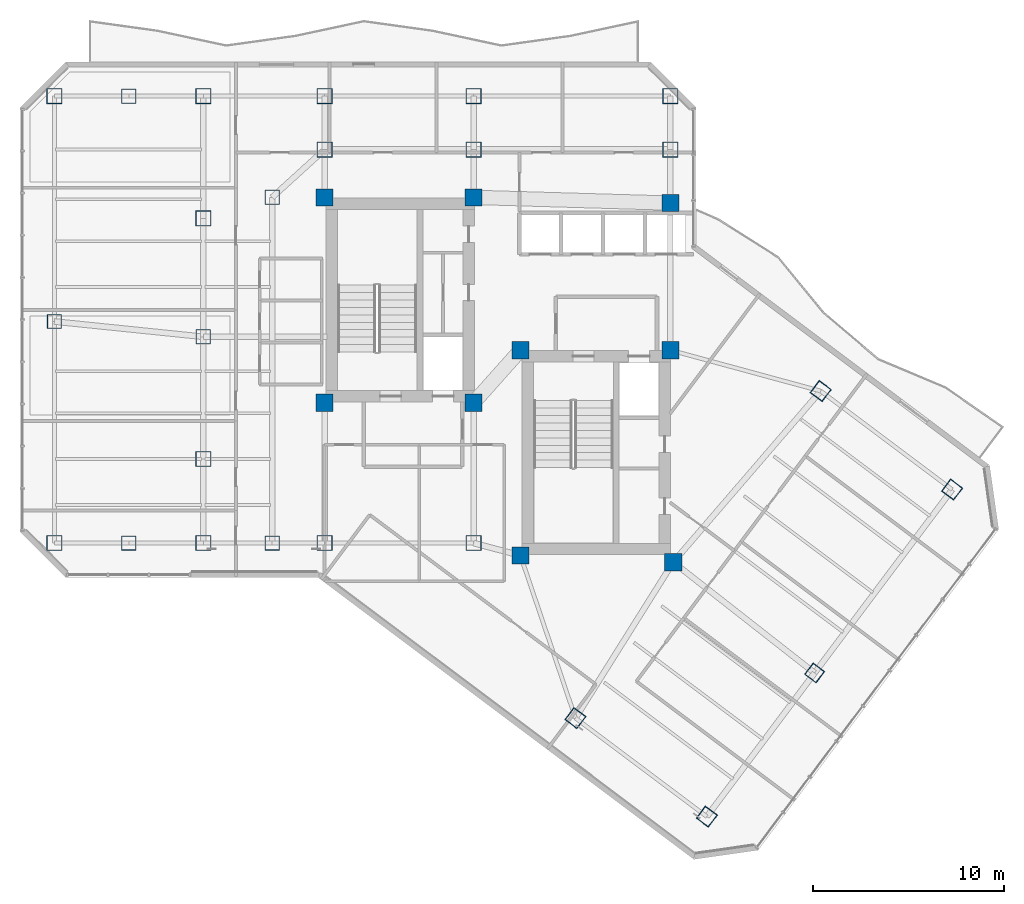
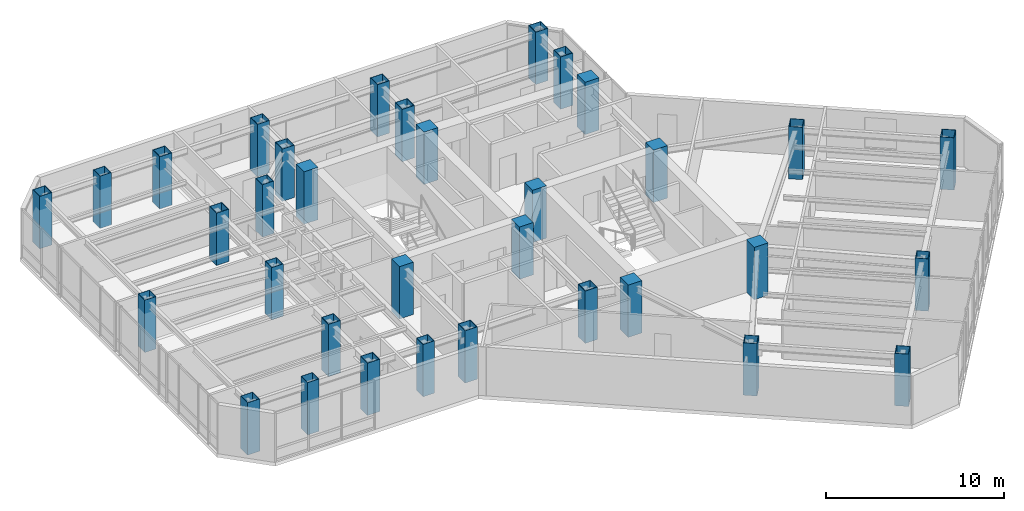
# One storey, part 1 of 27: 34 columns.
"""IFC4 building model written with IfcOpenShell, lengths in metres."""

from ifc_helpers import new_model, si_unit, direction, frame, origin, origin_2d, place, context, subcontext, project, spatial, rectangle, hollow_rectangle, extrude, material, material_profile, profile_set, type_object, element, save


model = new_model("IFC4")

# Units and contexts
model_context = context("Model", 3, precision=1e-05, world=origin(), true_north=direction((0.0, 1.0)))
body_context = subcontext(model_context, "Body", "Model", "MODEL_VIEW")
ifc_project = project(units=[si_unit("LENGTHUNIT", "METRE"), si_unit("AREAUNIT", "SQUARE_METRE"), si_unit("VOLUMEUNIT", "CUBIC_METRE"), si_unit("PLANEANGLEUNIT", "RADIAN"), si_unit("MASSUNIT", "GRAM", prefix="KILO")], contexts=[model_context])

# Site, building, storey
site_placement = place(None, origin())
site = spatial("IfcSite", under=ifc_project, at=site_placement, CompositionType="ELEMENT")
building_placement = place(site_placement, origin())
building = spatial("IfcBuilding", under=site, at=building_placement, Name="Hatsunagi Terrace Concourse", CompositionType="ELEMENT")
storey_placement = place(building_placement, frame((0.0, 0.0, 163.64990234375)))
storey = spatial("IfcBuildingStorey", under=building, at=storey_placement, Name="L43", CompositionType="ELEMENT", Elevation=163.64990234375)

# Columns
ifc_material_1 = material(Name="Concrete Fc48", Category="concrete")
ifc_material_profile_1 = material_profile(ifc_material_1, rectangle(XDim=0.89990234375, YDim=0.89990234375, at=origin_2d()), Name="RC-900x900")
ifc_profile_set_1 = profile_set([ifc_material_profile_1], Name="Concrete Fc48")
column_type_1 = type_object("IfcColumnType", Name="CoreColumn_RC_900x900", PredefinedType="COLUMN", material=ifc_profile_set_1)
for number, where, z_axis, x_axis, name in (
    (1, (25.550048828125, 32.550048828125, 0.0), (0.0, 0.0, 1.0), (1.0, 0.0, 0.0), "Column C-02 L43-CASW"),
    (2, (33.35009765625, 32.550048828125, 0.0), (0.0, 0.0, 1.0), (1.0, 0.0, 0.0), "Column C-02 L43-CASE"),
    (3, (25.550048828125, 43.300048828125, 0.0), (0.0, 0.0, 1.0), (1.0, 0.0, 0.0), "Column C-02 L43-CANW"),
    (4, (33.35009765625, 43.300048828125, 0.0), (0.0, 0.0, 1.0), (1.0, 0.0, 0.0), "Column C-02 L43-CANE"),
    (5, (35.800048828125, 24.550048828125, 0.0), (0.0, 0.0, 1.0), (1.0, 0.0, 0.0), "Column C-02 L43-CBSW"),
    (6, (43.800048828125, 24.199951171875, 0.0), (0.0, 0.0, 1.0), (1.0, 0.0, 0.0), "Column C-02 L43-CBSE"),
    (7, (35.800048828125, 35.300048828125, 0.0), (0.0, 0.0, 1.0), (1.0, 0.0, 0.0), "Column C-02 L43-CBNW"),
    (8, (43.64990234375, 35.300048828125, 0.0), (0.0, 0.0, 1.0), (1.0, 0.0, 0.0), "Column C-02 L43-CBNE"),
    (9, (43.64990234375, 43.0, 0.0), (0.0, 0.0, 1.0), (1.0, 0.0, 0.0), "Column C-02 L43-K3"),
):
    element("IfcColumn", number, at=place(storey_placement, frame(where, z_axis=z_axis, x_axis=x_axis)), inside=storey, type_object=column_type_1, Name=name, PredefinedType="COLUMN", context=body_context, shape_type="SweptSolid", body=[
        extrude(rectangle(XDim=0.89990234375, YDim=0.89990234375, at=origin_2d()), origin(), (0.0, 0.0, 1.0), 3.60009765625),
    ])
ifc_material_2 = material(Name="Steel BCP325T", Category="steel")
ifc_material_profile_2 = material_profile(ifc_material_2, hollow_rectangle(XDim=0.75, YDim=0.75, WallThickness=0.028076171875, at=origin_2d()), Name="BCP-750x750x28")
ifc_profile_set_2 = profile_set([ifc_material_profile_2], Name="Steel BCP325T")
column_type_2 = type_object("IfcColumnType", Name="TowerBoxColumn_750x750x28", PredefinedType="COLUMN", material=ifc_profile_set_2)
for number, where, z_axis, x_axis, name in (
    (10, (22.800048828125, 25.199951171875, 0.0), (0.0, 0.0, 1.0), (1.0, 0.0, 0.0), "Column C-07 L43-CW1"),
    (11, (22.800048828125, 43.300048828125, 0.0), (0.0, 0.0, 1.0), (1.0, 0.0, 0.0), "Column C-07 L43-CW2"),
    (12, (11.39990234375, 36.800048828125, 0.0), (0.0, 0.0, 1.0), (1.0, 0.0, 0.0), "Column C-07 L43-WT1"),
    (13, (19.199951171875, 36.0, 0.0), (0.0, 0.0, 1.0), (1.0, 0.0, 0.0), "Column C-07 L43-WT2"),
    (14, (15.300048828125, 25.199951171875, 0.0), (0.0, 0.0, 1.0), (1.0, 0.0, 0.0), "Column C-07 L43-WT3"),
    (15, (15.300048828125, 48.60009765625, 0.0), (0.0, 0.0, 1.0), (1.0, 0.0, 0.0), "Column C-07 L43-WT4"),
    (16, (51.199951171875, 18.39990234375, 0.0), (0.0, 0.0, 1.0), (0.799999996291, -0.600000004945, 0.0), "Column C-07 L43-SEM2"),
):
    element("IfcColumn", number, at=place(storey_placement, frame(where, z_axis=z_axis, x_axis=x_axis)), inside=storey, type_object=column_type_2, Name=name, PredefinedType="COLUMN", context=body_context, shape_type="SweptSolid", body=[
        extrude(hollow_rectangle(XDim=0.75, YDim=0.75, WallThickness=0.028076171875, at=origin_2d()), origin(), (0.0, 0.0, 1.0), 3.60009765625),
    ])
ifc_material_3 = material(Name="Steel BCP325T", Category="steel")
ifc_material_profile_3 = material_profile(ifc_material_3, hollow_rectangle(XDim=0.800048828125, YDim=0.800048828125, WallThickness=0.031982421875, at=origin_2d()), Name="BCP-800x800x32")
ifc_profile_set_3 = profile_set([ifc_material_profile_3], Name="Steel BCP325T")
column_type_3 = type_object("IfcColumnType", Name="TowerBoxColumn_800x800x32", PredefinedType="COLUMN", material=ifc_profile_set_3)
for number, where, z_axis, x_axis, name in (
    (17, (25.550048828125, 25.199951171875, 0.0), (0.0, 0.0, 1.0), (1.0, 0.0, 0.0), "Column C-06 L43-K1"),
    (18, (33.35009765625, 25.199951171875, 0.0), (0.0, 0.0, 1.0), (1.0, 0.0, 0.0), "Column C-06 L43-K2"),
    (19, (25.550048828125, 45.800048828125, 0.0), (0.0, 0.0, 1.0), (1.0, 0.0, 0.0), "Column C-06 L43-CN1"),
    (20, (33.35009765625, 45.800048828125, 0.0), (0.0, 0.0, 1.0), (1.0, 0.0, 0.0), "Column C-06 L43-CN2"),
    (21, (43.64990234375, 45.800048828125, 0.0), (0.0, 0.0, 1.0), (1.0, 0.0, 0.0), "Column C-06 L43-CN3"),
    (22, (11.39990234375, 25.199951171875, 0.0), (0.0, 0.0, 1.0), (1.0, 0.0, 0.0), "Column C-06 L43-WS2"),
    (23, (11.39990234375, 48.60009765625, 0.0), (0.0, 0.0, 1.0), (1.0, 0.0, 0.0), "Column C-06 L43-WN2"),
    (24, (19.199951171875, 48.60009765625, 0.0), (0.0, 0.0, 1.0), (1.0, 0.0, 0.0), "Column C-06 L43-WN3"),
    (25, (25.550048828125, 48.60009765625, 0.0), (0.0, 0.0, 1.0), (1.0, 0.0, 0.0), "Column C-06 L43-WN4"),
    (26, (33.35009765625, 48.60009765625, 0.0), (0.0, 0.0, 1.0), (1.0, 0.0, 0.0), "Column C-06 L43-WN5"),
    (27, (43.64990234375, 48.60009765625, 0.0), (0.0, 0.0, 1.0), (1.0, 0.0, 0.0), "Column C-06 L43-WN6"),
    (28, (19.199951171875, 25.199951171875, 0.0), (0.0, 0.0, 1.0), (1.0, 0.0, 0.0), "Column C-06 L43-WS3"),
    (29, (19.199951171875, 29.60009765625, 0.0), (0.0, 0.0, 1.0), (1.0, 0.0, 0.0), "Column C-06 L43-WR1"),
    (30, (19.199951171875, 42.199951171875, 0.0), (0.0, 0.0, 1.0), (1.0, 0.0, 0.0), "Column C-06 L43-WR2"),
    (31, (38.679931640625, 16.0400390625, 0.0), (0.0, 0.0, 1.0), (0.799999996291, -0.600000004945, 0.0), "Column C-06 L43-SES1"),
    (32, (51.52001953125, 33.159912109375, 0.0), (0.0, 0.0, 1.0), (0.799999996291, -0.600000004945, 0.0), "Column C-06 L43-SEN1"),
    (33, (45.56005859375, 10.8798828125, 0.0), (0.0, 0.0, 1.0), (0.799999996291, -0.600000004945, 0.0), "Column C-06 L43-SES2"),
    (34, (58.39990234375, 28.0, 0.0), (0.0, 0.0, 1.0), (0.799999996291, -0.600000004945, 0.0), "Column C-06 L43-SEN2"),
):
    element("IfcColumn", number, at=place(storey_placement, frame(where, z_axis=z_axis, x_axis=x_axis)), inside=storey, type_object=column_type_3, Name=name, PredefinedType="COLUMN", context=body_context, shape_type="SweptSolid", body=[
        extrude(hollow_rectangle(XDim=0.800048828125, YDim=0.800048828125, WallThickness=0.031982421875, at=origin_2d()), origin(), (0.0, 0.0, 1.0), 3.60009765625),
    ])

save(model, "model.ifc")
